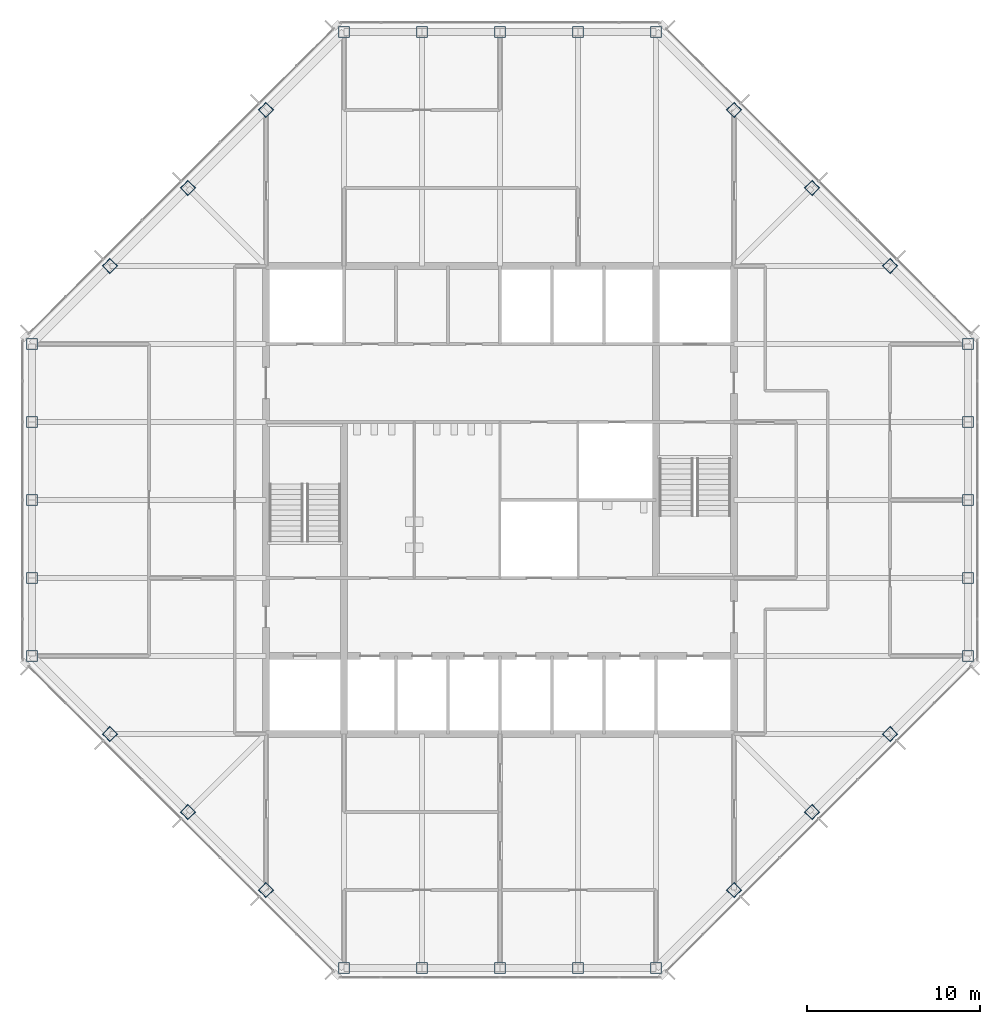
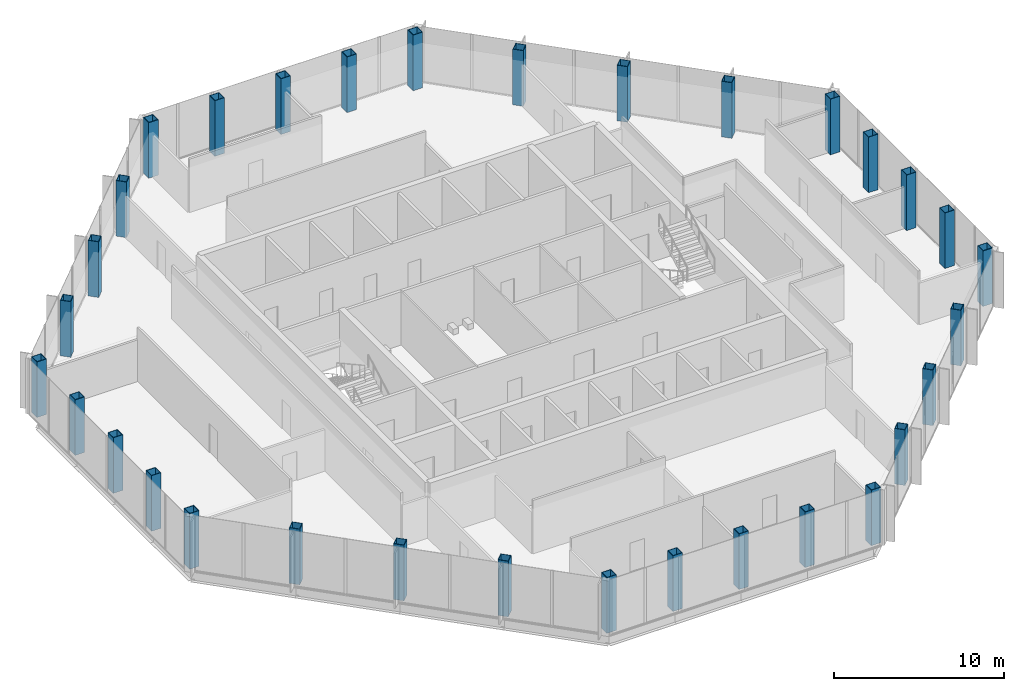
# One storey, part 1 of 13: 32 columns.
"""IFC4 building model written with IfcOpenShell, lengths in metres."""

from ifc_helpers import new_model, si_unit, direction, frame, origin, origin_2d, place, context, subcontext, project, spatial, hollow_rectangle, extrude, material, material_profile, profile_set, type_object, element, save


model = new_model("IFC4")

# Units and contexts
model_context = context("Model", 3, precision=1e-05, world=origin(), true_north=direction((0.0, 1.0)))
body_context = subcontext(model_context, "Body", "Model", "MODEL_VIEW")
ifc_project = project(units=[si_unit("LENGTHUNIT", "METRE"), si_unit("AREAUNIT", "SQUARE_METRE"), si_unit("VOLUMEUNIT", "CUBIC_METRE"), si_unit("PLANEANGLEUNIT", "RADIAN"), si_unit("MASSUNIT", "GRAM", prefix="KILO")], contexts=[model_context])

# Site, building, storey
site_placement = place(None, origin())
site = spatial("IfcSite", under=ifc_project, at=site_placement, CompositionType="ELEMENT")
building_placement = place(site_placement, origin())
building = spatial("IfcBuilding", under=site, at=building_placement, Name="Corais Broadcast Tower", CompositionType="ELEMENT")
storey_placement = place(building_placement, frame((0.0, 0.0, 210.60009765625)))
storey = spatial("IfcBuildingStorey", under=building, at=storey_placement, Name="L48", CompositionType="ELEMENT", Elevation=210.60009765625)

# Columns
ifc_material = material(Name="Steel ASTM A572 Grade 50", Category="steel")
ifc_material_profile = material_profile(ifc_material, hollow_rectangle(XDim=0.64990234375, YDim=0.64990234375, WallThickness=0.031982421875, at=origin_2d()), Name="BOX 650x650x32")
ifc_profile_set = profile_set([ifc_material_profile], Name="Steel ASTM A572 Grade 50")
column_type = type_object("IfcColumnType", Name="Column BOX 650x650x32", PredefinedType="COLUMN", material=ifc_profile_set)
for number, where, z_axis, x_axis, name in (
    (1, (18.0, 0.0, 0.0), (0.0, 0.0, 1.0), (1.0, 0.0, 0.0), "C6 A/7"),
    (2, (22.5, 0.0, 0.0), (0.0, 0.0, 1.0), (1.0, 0.0, 0.0), "C6 A/8"),
    (3, (27.0, 0.0, 0.0), (0.0, 0.0, 1.0), (1.0, 0.0, 0.0), "C6 A/9"),
    (4, (31.5, 0.0, 0.0), (0.0, 0.0, 1.0), (1.0, 0.0, 0.0), "C6 A/10"),
    (5, (36.0, 0.0, 0.0), (0.0, 0.0, 1.0), (1.0, 0.0, 0.0), "C6 A/11"),
    (6, (54.0, 18.0, 0.0), (0.0, 0.0, 1.0), (1.0, 0.0, 0.0), "C6 E/15"),
    (7, (54.0, 22.5, 0.0), (0.0, 0.0, 1.0), (1.0, 0.0, 0.0), "C6 F/15"),
    (8, (54.0, 27.0, 0.0), (0.0, 0.0, 1.0), (1.0, 0.0, 0.0), "C6 G/15"),
    (9, (54.0, 31.5, 0.0), (0.0, 0.0, 1.0), (1.0, 0.0, 0.0), "C6 H/15"),
    (10, (54.0, 36.0, 0.0), (0.0, 0.0, 1.0), (1.0, 0.0, 0.0), "C6 J/15"),
    (11, (36.0, 54.0, 0.0), (0.0, 0.0, 1.0), (1.0, 0.0, 0.0), "C6 N/11"),
    (12, (31.5, 54.0, 0.0), (0.0, 0.0, 1.0), (1.0, 0.0, 0.0), "C6 N/10"),
    (13, (27.0, 54.0, 0.0), (0.0, 0.0, 1.0), (1.0, 0.0, 0.0), "C6 N/9"),
    (14, (22.5, 54.0, 0.0), (0.0, 0.0, 1.0), (1.0, 0.0, 0.0), "C6 N/8"),
    (15, (18.0, 54.0, 0.0), (0.0, 0.0, 1.0), (1.0, 0.0, 0.0), "C6 N/7"),
    (16, (0.0, 36.0, 0.0), (0.0, 0.0, 1.0), (1.0, 0.0, 0.0), "C6 J/3"),
    (17, (0.0, 31.5, 0.0), (0.0, 0.0, 1.0), (1.0, 0.0, 0.0), "C6 H/3"),
    (18, (0.0, 27.0, 0.0), (0.0, 0.0, 1.0), (1.0, 0.0, 0.0), "C6 G/3"),
    (19, (0.0, 22.5, 0.0), (0.0, 0.0, 1.0), (1.0, 0.0, 0.0), "C6 F/3"),
    (20, (0.0, 18.0, 0.0), (0.0, 0.0, 1.0), (1.0, 0.0, 0.0), "C6 E/3"),
    (21, (13.5, 4.5, 0.0), (0.0, 0.0, 1.0), (0.707106781187, 0.707106781187, 0.0), "C6 B/6"),
    (22, (9.0, 9.0, 0.0), (0.0, 0.0, 1.0), (0.707106781187, 0.707106781187, 0.0), "C6 C/5"),
    (23, (4.5, 13.5, 0.0), (0.0, 0.0, 1.0), (0.707106781187, 0.707106781187, 0.0), "C6 D/4"),
    (24, (40.5, 4.5, 0.0), (0.0, 0.0, 1.0), (0.707106781187, 0.707106781187, 0.0), "C6 B/12"),
    (25, (45.0, 9.0, 0.0), (0.0, 0.0, 1.0), (0.707106781187, 0.707106781187, 0.0), "C6 C/13"),
    (26, (49.5, 13.5, 0.0), (0.0, 0.0, 1.0), (0.707106781187, 0.707106781187, 0.0), "C6 D/14"),
    (27, (49.5, 40.5, 0.0), (0.0, 0.0, 1.0), (0.707106781187, 0.707106781187, 0.0), "C6 K/14"),
    (28, (45.0, 45.0, 0.0), (0.0, 0.0, 1.0), (0.707106781187, 0.707106781187, 0.0), "C6 L/13"),
    (29, (40.5, 49.5, 0.0), (0.0, 0.0, 1.0), (0.707106781187, 0.707106781187, 0.0), "C6 M/12"),
    (30, (4.5, 40.5, 0.0), (0.0, 0.0, 1.0), (0.707106781187, 0.707106781187, 0.0), "C6 K/4"),
    (31, (9.0, 45.0, 0.0), (0.0, 0.0, 1.0), (0.707106781187, 0.707106781187, 0.0), "C6 L/5"),
    (32, (13.5, 49.5, 0.0), (0.0, 0.0, 1.0), (0.707106781187, 0.707106781187, 0.0), "C6 M/6"),
):
    element("IfcColumn", number, at=place(storey_placement, frame(where, z_axis=z_axis, x_axis=x_axis)), inside=storey, type_object=column_type, Name=name, PredefinedType="COLUMN", context=body_context, shape_type="SweptSolid", body=[
        extrude(hollow_rectangle(XDim=0.64990234375, YDim=0.64990234375, WallThickness=0.031982421875, at=origin_2d()), origin(), (0.0, 0.0, 1.0), 4.0),
    ])

save(model, "model.ifc")
